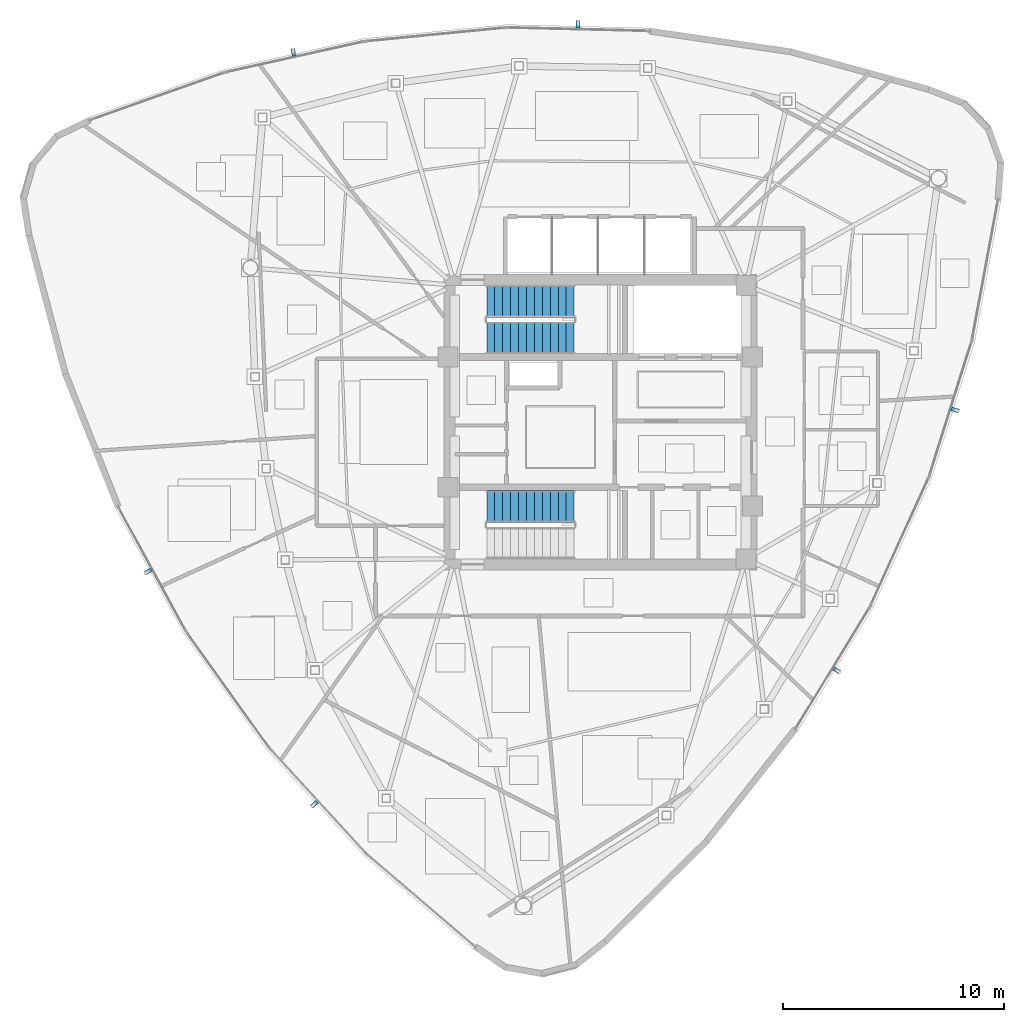
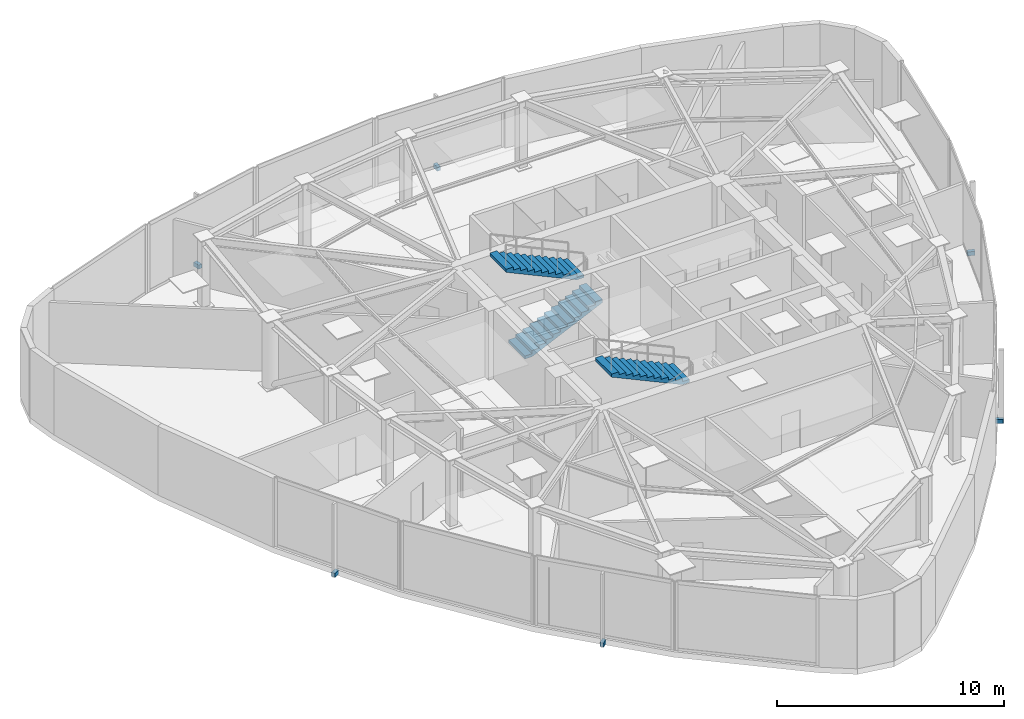
# One storey, part 10 of 13: 6 discrete accessories, 3 stair flights, 2 elements without a shape of their own.
"""IFC4 building model written with IfcOpenShell, lengths in metres."""

from ifc_helpers import new_model, si_unit, direction, frame, origin, origin_2d, place, context, subcontext, project, spatial, polyline, rectangle, outline, extrude, source, transform, mapped, material, type_object, type_shapes, element, aggregate, save


model = new_model("IFC4")

# Units and contexts
model_context = context("Model", 3, precision=1e-05, world=origin(), true_north=direction((0.0, 1.0)))
body_context = subcontext(model_context, "Body", "Model", "MODEL_VIEW")
ifc_project = project(units=[si_unit("LENGTHUNIT", "METRE"), si_unit("AREAUNIT", "SQUARE_METRE"), si_unit("VOLUMEUNIT", "CUBIC_METRE"), si_unit("PLANEANGLEUNIT", "RADIAN"), si_unit("MASSUNIT", "GRAM", prefix="KILO")], contexts=[model_context])

# Site, building, storey
site_placement = place(None, origin())
site = spatial("IfcSite", under=ifc_project, at=site_placement, CompositionType="ELEMENT")
building_placement = place(site_placement, origin())
building = spatial("IfcBuilding", under=site, at=building_placement, Name="Tavelor Broadcast Tower", CompositionType="ELEMENT")
storey_placement = place(building_placement, frame((0.0, 0.0, 305.5)))
storey = spatial("IfcBuildingStorey", under=building, at=storey_placement, Name="L73", CompositionType="ELEMENT", Elevation=305.5)

# Stair, stair flights
ifc_material_1 = material(Name="Concrete C40/50", Category="concrete")
stair_type = type_object("IfcStairType", Name="Reinforced Concrete Protected Dogleg Stair 1450 mm", PredefinedType="HALF_TURN_STAIR", material=ifc_material_1)
stair_1_placement = place(storey_placement, origin())
stair_1 = element("IfcStair", 1, at=stair_1_placement, inside=storey, type_object=stair_type, Name="L73 Protected Core Exit Stair ST1", PredefinedType="HALF_TURN_STAIR")
stair_flight_type = type_object("IfcStairFlightType", Name="Reinforced Concrete Stair Flight 1450 mm", PredefinedType="STRAIGHT", material=ifc_material_1)
stair_flight_1_placement = place(storey_placement, frame((44.85009765625, 48.824951171875, 0.0), z_axis=(0.0, 0.0, 1.0), x_axis=(1.0, 0.0, 0.0)))
stair_flight_1 = element("IfcStairFlight", 2, at=stair_flight_1_placement, type_object=stair_flight_type, Name="ST1 flight 1", NumberOfRisers=12, NumberOfTreads=11, PredefinedType="STRAIGHT", RiserHeight=0.166666667, TreadLength=0.36, context=body_context, shape_type="SweptSolid", body=[
    extrude(outline(polyline([(0.0, 0.0), (0.0, 0.166748046875), (0.360107421875, 0.166748046875), (0.360107421875, 0.333251953125), (0.719970703125, 0.333251953125), (0.719970703125, 0.5), (1.080078125, 0.5), (1.080078125, 0.666748046875), (1.43994140625, 0.666748046875), (1.43994140625, 0.833251953125), (1.800048828125, 0.833251953125), (1.800048828125, 1.0), (2.159912109375, 1.0), (2.159912109375, 1.166748046875), (2.52001953125, 1.166748046875), (2.52001953125, 1.333251953125), (2.8798828125, 1.333251953125), (2.8798828125, 1.5), (3.239990234375, 1.5), (3.239990234375, 1.666748046875), (3.60009765625, 1.666748046875), (3.60009765625, 1.833251953125), (3.9599609375, 1.833251953125), (3.9599609375, 2.0), (3.9599609375, 1.668212890625), (0.356689453125, 0.0), (0.0, 0.0)])), frame((0.0, 0.72509765625, 0.0), z_axis=(0.0, -1.0, 0.0), x_axis=(1.0, 0.0, 0.0)), (0.0, 0.0, 1.0), 1.449951171875),
])
stair_flight_2_placement = place(storey_placement, frame((48.81005859375, 50.47509765625, 2.0), z_axis=(0.0, 0.0, 1.0), x_axis=(-1.0, 0.0, 0.0)))
stair_flight_2 = element("IfcStairFlight", 3, at=stair_flight_2_placement, type_object=stair_flight_type, Name="ST1 flight 2", NumberOfRisers=12, NumberOfTreads=11, PredefinedType="STRAIGHT", RiserHeight=0.166666667, TreadLength=0.36, context=body_context, shape_type="SweptSolid", body=[
    extrude(outline(polyline([(0.0, 0.0), (0.0, 0.166748046875), (0.360107421875, 0.166748046875), (0.360107421875, 0.333251953125), (0.719970703125, 0.333251953125), (0.719970703125, 0.5), (1.080078125, 0.5), (1.080078125, 0.666748046875), (1.43994140625, 0.666748046875), (1.43994140625, 0.833251953125), (1.800048828125, 0.833251953125), (1.800048828125, 1.0), (2.159912109375, 1.0), (2.159912109375, 1.166748046875), (2.52001953125, 1.166748046875), (2.52001953125, 1.333251953125), (2.8798828125, 1.333251953125), (2.8798828125, 1.5), (3.239990234375, 1.5), (3.239990234375, 1.666748046875), (3.60009765625, 1.666748046875), (3.60009765625, 1.833251953125), (3.9599609375, 1.833251953125), (3.9599609375, 2.0), (3.9599609375, 1.668212890625), (0.356689453125, 0.0), (0.0, 0.0)])), frame((0.0, 0.72509765625, 0.0), z_axis=(0.0, -1.0, 0.0), x_axis=(1.0, 0.0, 0.0)), (0.0, 0.0, 1.0), 1.449951171875),
])
aggregate(stair_1, [stair_flight_1, stair_flight_2])

# Stair, stair flight
stair_2_placement = place(storey_placement, origin())
stair_2 = element("IfcStair", 4, at=stair_2_placement, inside=storey, type_object=stair_type, Name="L73 Protected Core Exit Stair ST2", PredefinedType="HALF_TURN_STAIR")
stair_flight_3_placement = place(storey_placement, frame((48.81005859375, 41.175048828125, 2.0), z_axis=(0.0, 0.0, 1.0), x_axis=(-1.0, 0.0, 0.0)))
stair_flight_3 = element("IfcStairFlight", 5, at=stair_flight_3_placement, type_object=stair_flight_type, Name="ST2 flight 2", NumberOfRisers=12, NumberOfTreads=11, PredefinedType="STRAIGHT", RiserHeight=0.166666667, TreadLength=0.36, context=body_context, shape_type="SweptSolid", body=[
    extrude(outline(polyline([(0.0, 0.0), (0.0, 0.166748046875), (0.360107421875, 0.166748046875), (0.360107421875, 0.333251953125), (0.719970703125, 0.333251953125), (0.719970703125, 0.5), (1.080078125, 0.5), (1.080078125, 0.666748046875), (1.43994140625, 0.666748046875), (1.43994140625, 0.833251953125), (1.800048828125, 0.833251953125), (1.800048828125, 1.0), (2.159912109375, 1.0), (2.159912109375, 1.166748046875), (2.52001953125, 1.166748046875), (2.52001953125, 1.333251953125), (2.8798828125, 1.333251953125), (2.8798828125, 1.5), (3.239990234375, 1.5), (3.239990234375, 1.666748046875), (3.60009765625, 1.666748046875), (3.60009765625, 1.833251953125), (3.9599609375, 1.833251953125), (3.9599609375, 2.0), (3.9599609375, 1.668212890625), (0.356689453125, 0.0), (0.0, 0.0)])), frame((0.0, 0.72509765625, 0.0), z_axis=(0.0, -1.0, 0.0), x_axis=(1.0, 0.0, 0.0)), (0.0, 0.0, 1.0), 1.449951171875),
])
aggregate(stair_2, [stair_flight_3])

# Discrete accessories
ifc_material_2 = material(Name="Steel S355", Category="steel")
discrete_accessory_type = type_object("IfcDiscreteAccessoryType", Name="Stainless Baguette Outrigger Support Bracket 260x180", PredefinedType="BRACKET", material=ifc_material_2)
shared_shape = source(origin(), body_context, "Body", "SweptSolid", [
    extrude(rectangle(XDim=0.179931640625, YDim=0.340087890625, at=origin_2d()), origin(), (0.0, 0.0, 1.0), 0.216064453125),
])
type_shapes(discrete_accessory_type, [shared_shape])
for number, where, z_axis, x_axis, name in (
    (6, (29.494873046875, 38.22900390625, -0.2578125), (0.0, 0.0, 1.0), (0.478998302645, -0.877815826961, 0.0), "L73 Baguette Outrigger Bracket 709"),
    (7, (37.0380859375, 27.682861328125, -0.2578125), (0.0, 0.0, 1.0), (0.6759761525, -0.736923497556, 0.0), "L73 Baguette Outrigger Bracket 710"),
    (8, (60.716552734375, 33.7451171875, -0.2578125), (0.0, 0.0, 1.0), (0.52071165467, 0.853732611941, 0.0), "L73 Baguette Outrigger Bracket 711"),
    (9, (66.077880859375, 45.551025390625, -0.2578125), (0.0, 0.0, 1.0), (0.300206393279, 0.953874269196, 0.0), "L73 Baguette Outrigger Bracket 712"),
    (10, (48.98876953125, 63.02587890625, -0.2578125), (0.0, 0.0, 1.0), (-0.999714145402, 0.023908732351, 0.0), "L73 Baguette Outrigger Bracket 713"),
    (11, (36.083740234375, 61.76611328125, -0.2578125), (0.0, 0.0, 1.0), (-0.97618254578, -0.21695077164, 0.0), "L73 Baguette Outrigger Bracket 714"),
):
    element("IfcDiscreteAccessory", number, at=place(storey_placement, frame(where, z_axis=z_axis, x_axis=x_axis)), inside=storey, type_object=discrete_accessory_type, Name=name, PredefinedType="BRACKET", context=body_context, shape_type="MappedRepresentation", body=[
        mapped(shared_shape, transform((0.0, 0.0, 0.0), scale=1.0)),
    ])

save(model, "model.ifc")
